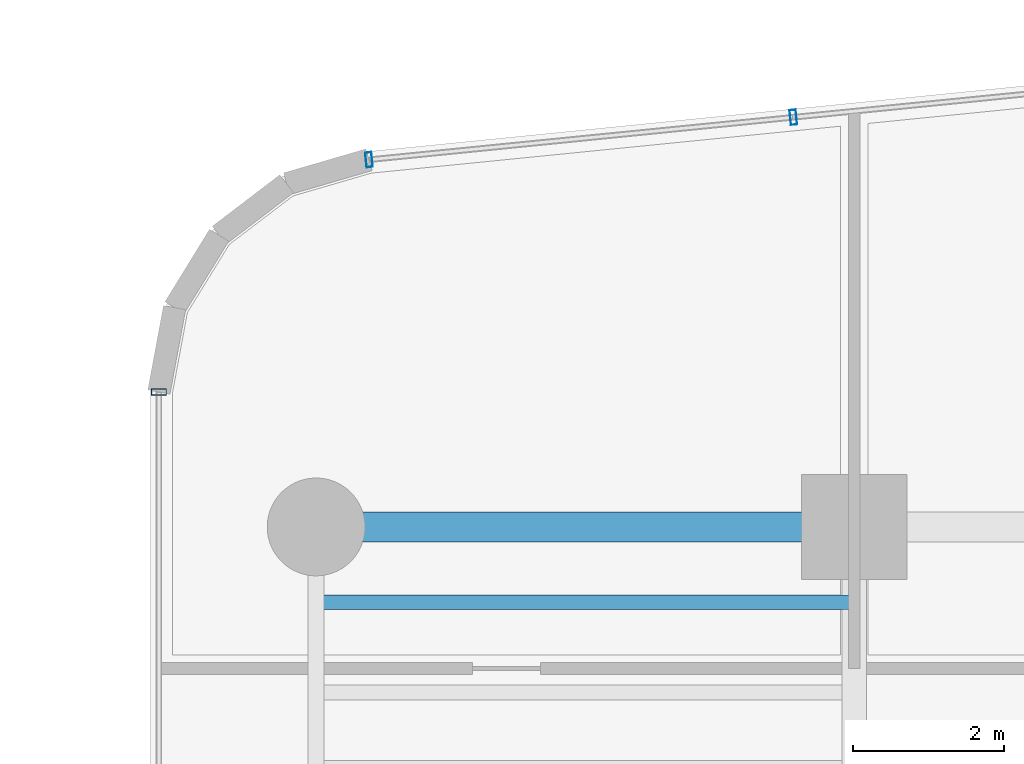
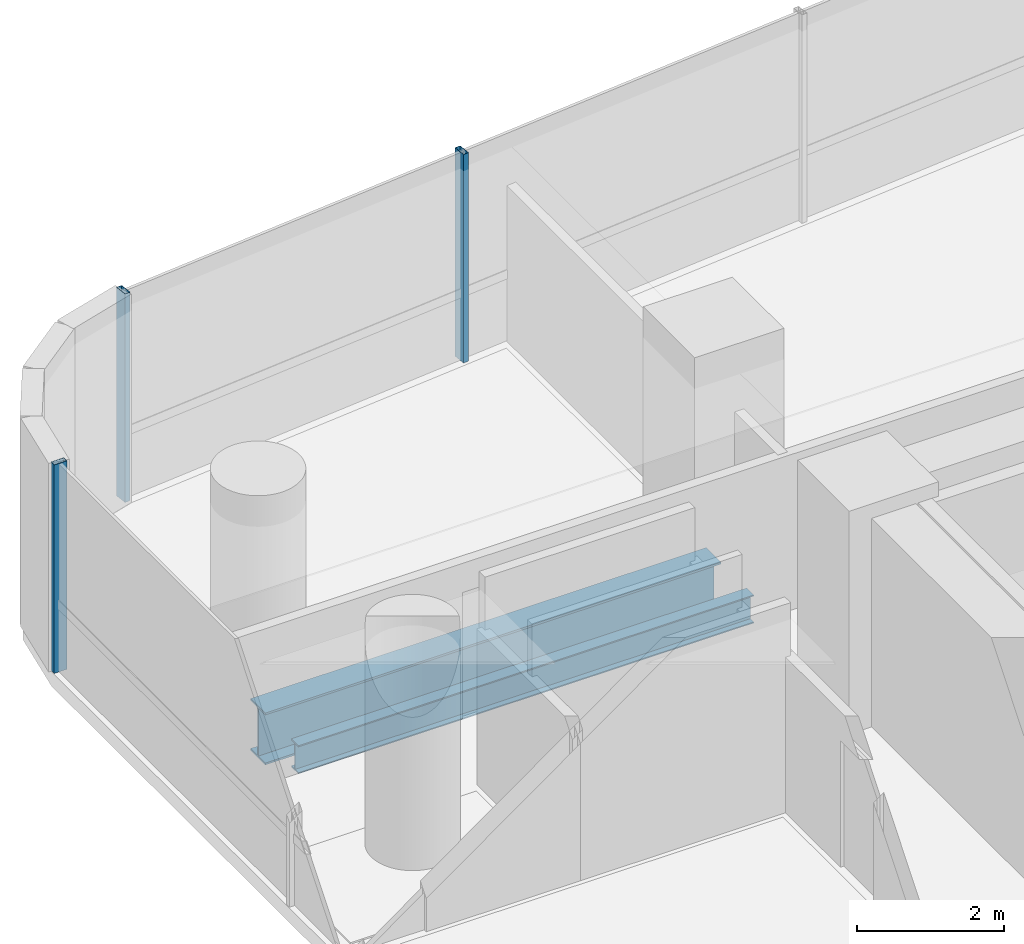
# One storey, part 18 of 39: 3 members, 2 beams, 2 elements without a shape of their own.
"""IFC4 building model written with IfcOpenShell, lengths in metres."""

from ifc_helpers import new_model, si_unit, direction, frame, origin, origin_2d, place, context, subcontext, project, spatial, hollow_rectangle, i_section, extrude, source, transform, mapped, material, material_profile, profile_set, type_object, element, aggregate, save


model = new_model("IFC4")

# Units and contexts
model_context = context("Model", 3, precision=1e-05, world=origin(), true_north=direction((0.0, 1.0)))
body_context = subcontext(model_context, "Body", "Model", "MODEL_VIEW")
ifc_project = project(units=[si_unit("LENGTHUNIT", "METRE"), si_unit("AREAUNIT", "SQUARE_METRE"), si_unit("VOLUMEUNIT", "CUBIC_METRE"), si_unit("PLANEANGLEUNIT", "RADIAN"), si_unit("MASSUNIT", "GRAM", prefix="KILO")], contexts=[model_context])

# Site, building, storey
site_placement = place(None, origin())
site = spatial("IfcSite", under=ifc_project, at=site_placement, CompositionType="ELEMENT")
building_placement = place(site_placement, origin())
building = spatial("IfcBuilding", under=site, at=building_placement, Name="Valdorenza Pilgrim Sanctuary Tower", CompositionType="ELEMENT")
storey_placement = place(building_placement, frame((0.0, 0.0, 33.39990234375)))
storey = spatial("IfcBuildingStorey", under=building, at=storey_placement, Name="L07", CompositionType="ELEMENT", Elevation=33.39990234375)

# Beams
ifc_material_1 = material(Name="Steel ASTM A992 Grade 50", Category="steel")
ifc_material_profile_1 = material_profile(ifc_material_1, i_section(OverallWidth=0.193115234375, OverallDepth=0.466064453125, WebThickness=0.011474609375, FlangeThickness=0.01904296875, at=origin_2d()), Name="W18X65")
ifc_profile_set_1 = profile_set([ifc_material_profile_1], Name="Steel ASTM A992 Grade 50")
beam_type_1 = type_object("IfcBeamType", Name="STR-BM-JST-W18A", PredefinedType="JOIST", material=ifc_profile_set_1)
shared_shape_1 = source(origin(), body_context, "Body", "SweptSolid", [
    extrude(i_section(OverallWidth=0.193115234375, OverallDepth=0.466064453125, WebThickness=0.011474609375, FlangeThickness=0.01904296875, at=origin_2d()), origin(), (0.0, 0.0, 1.0), 7.150146484375),
])
beam_1_placement = place(storey_placement, frame((-29.800048828125, 13.800048828125, -0.472900390625), z_axis=(1.0, 0.0, 0.0), x_axis=(0.0, 1.0, 0.0)))
element("IfcBeam", 1, at=beam_1_placement, inside=storey, type_object=beam_type_1, Name="L07 Composite Floor Joist JST-WA-26", PredefinedType="JOIST", context=body_context, shape_type="MappedRepresentation", body=[
    mapped(shared_shape_1, transform((0.0, 0.0, 0.0), x_axis=(1.0, 0.0, 0.0), y_axis=(0.0, 1.0, 0.0), z_axis=(0.0, 0.0, 1.0), scale=1.0)),
])
ifc_material_profile_2 = material_profile(ifc_material_1, i_section(OverallWidth=0.39990234375, OverallDepth=0.862060546875, WebThickness=0.019775390625, FlangeThickness=0.032470703125, at=origin_2d()), Name="W33X221")
ifc_profile_set_2 = profile_set([ifc_material_profile_2], Name="Steel ASTM A992 Grade 50")
beam_type_2 = type_object("IfcBeamType", Name="STR-BM-GRD-W33", PredefinedType="BEAM", material=ifc_profile_set_2)
shared_shape_2 = source(origin(), body_context, "Body", "SweptSolid", [
    extrude(i_section(OverallWidth=0.39990234375, OverallDepth=0.862060546875, WebThickness=0.019775390625, FlangeThickness=0.032470703125, at=origin_2d()), origin(), (0.0, 0.0, 1.0), 7.150146484375),
])
beam_2_placement = place(storey_placement, frame((-29.800048828125, 14.800048828125, -0.6708984375), z_axis=(1.0, 0.0, 0.0), x_axis=(0.0, 1.0, 0.0)))
element("IfcBeam", 2, at=beam_2_placement, inside=storey, type_object=beam_type_2, Name="L07 Floor Girder WA-XW-N2", PredefinedType="BEAM", context=body_context, shape_type="MappedRepresentation", body=[
    mapped(shared_shape_2, transform((0.0, 0.0, 0.0), x_axis=(1.0, 0.0, 0.0), y_axis=(0.0, 1.0, 0.0), z_axis=(0.0, 0.0, 1.0), scale=1.0)),
])

# Curtain wall, member
ifc_material_2 = material(Name="Curtain-wall IGU glazing", Category="glass")
curtain_wall_type = type_object("IfcCurtainWallType", Name="CW-SYS-02", PredefinedType="NOTDEFINED", material=ifc_material_2)
curtain_wall_1_placement = place(storey_placement, origin())
curtain_wall_1 = element("IfcCurtainWall", 3, at=curtain_wall_1_placement, inside=storey, type_object=curtain_wall_type, Name="L07 Curtain Wall CW-L07-1-1S2", PredefinedType="NOTDEFINED")
ifc_material_3 = material(Name="Anodised aluminium AW-6060", Category="aluminium")
ifc_material_profile_3 = material_profile(ifc_material_3, hollow_rectangle(XDim=0.0849609375, YDim=0.199951171875, WallThickness=0.0048828125, at=origin_2d()), Name="ALU-M 200x85x5")
ifc_profile_set_3 = profile_set([ifc_material_profile_3], Name="Anodised aluminium AW-6060")
member_type = type_object("IfcMemberType", Name="CW-MUL-02", PredefinedType="MULLION", material=ifc_profile_set_3)
shared_shape_3 = source(origin(), body_context, "Body", "SweptSolid", [
    extrude(hollow_rectangle(XDim=0.0849609375, YDim=0.199951171875, WallThickness=0.0048828125, at=origin_2d()), origin(), (0.0, 0.0, 1.0), 3.460205078125),
])
member_1_placement = place(storey_placement, frame((-31.889892578125, 16.593994140625, 0.0), z_axis=(0.0, 0.0, 1.0), x_axis=(0.0, 1.0, 0.0)))
member_1 = element("IfcMember", 4, at=member_1_placement, type_object=member_type, Name="CW-L07-1-1S2 Mullion 4", PredefinedType="MULLION", context=body_context, shape_type="MappedRepresentation", body=[
    mapped(shared_shape_3, transform((0.0, 0.0, 0.0), x_axis=(1.0, 0.0, 0.0), y_axis=(0.0, 1.0, 0.0), z_axis=(0.0, 0.0, 1.0), scale=1.0)),
])
aggregate(curtain_wall_1, [member_1])

# Curtain wall, members
curtain_wall_2_placement = place(storey_placement, origin())
curtain_wall_2 = element("IfcCurtainWall", 5, at=curtain_wall_2_placement, inside=storey, type_object=curtain_wall_type, Name="L07 Curtain Wall CW-L07-1-6", PredefinedType="NOTDEFINED")
member_2_placement = place(storey_placement, frame((-29.097412109375, 19.6796875, 0.0), z_axis=(0.0, 0.0, 1.0), x_axis=(0.995038220239, 0.099493418189, 0.0)))
member_2 = element("IfcMember", 6, at=member_2_placement, type_object=member_type, Name="CW-L07-1-6 Mullion 1", PredefinedType="MULLION", context=body_context, shape_type="MappedRepresentation", body=[
    mapped(shared_shape_3, transform((0.0, 0.0, 0.0), x_axis=(1.0, 0.0, 0.0), y_axis=(0.0, 1.0, 0.0), z_axis=(0.0, 0.0, 1.0), scale=1.0)),
])
member_3_placement = place(storey_placement, frame((-23.458984375, 20.24365234375, 0.0), z_axis=(0.0, 0.0, 1.0), x_axis=(0.995038220239, 0.099493418189, 0.0)))
member_3 = element("IfcMember", 7, at=member_3_placement, type_object=member_type, Name="CW-L07-1-6 Mullion 2", PredefinedType="MULLION", context=body_context, shape_type="MappedRepresentation", body=[
    mapped(shared_shape_3, transform((0.0, 0.0, 0.0), x_axis=(1.0, 0.0, 0.0), y_axis=(0.0, 1.0, 0.0), z_axis=(0.0, 0.0, 1.0), scale=1.0)),
])
aggregate(curtain_wall_2, [member_2, member_3])

save(model, "model.ifc")
